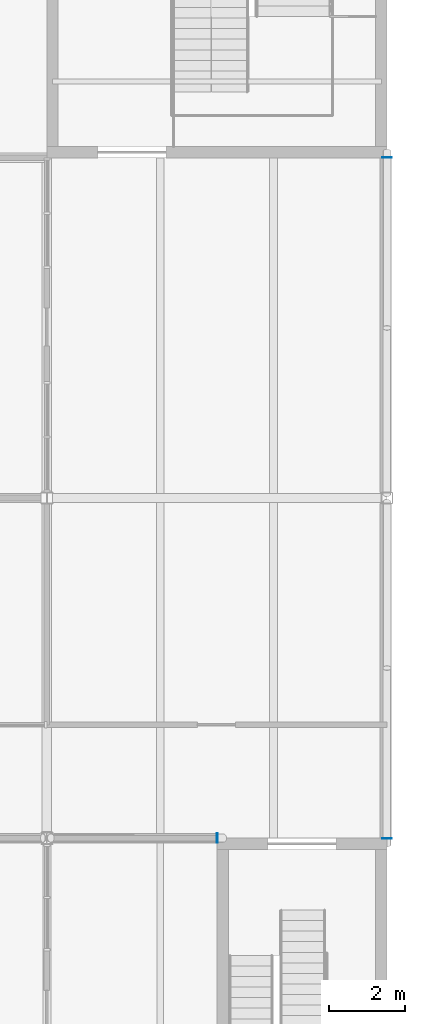
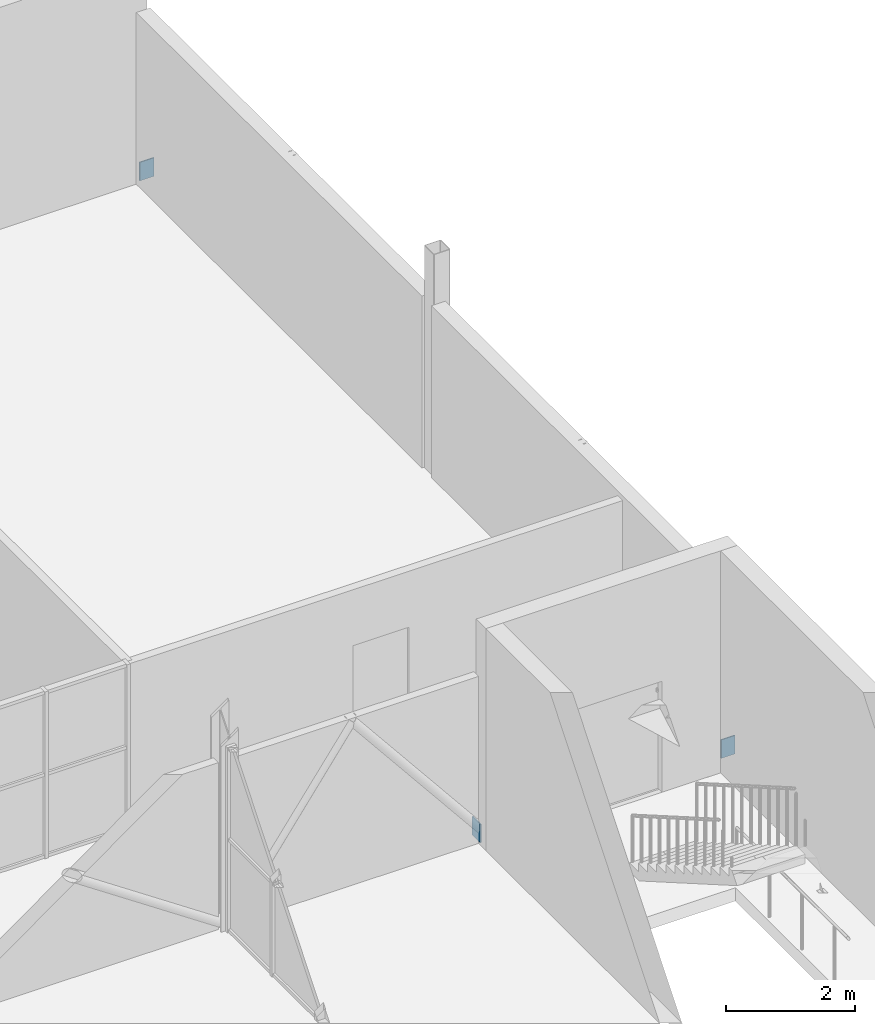
# One storey, part 46 of 57: 3 discrete accessories.
"""IFC4 building model written with IfcOpenShell, lengths in metres."""

from ifc_helpers import new_model, si_unit, direction, frame, origin, origin_2d, place, context, subcontext, project, spatial, rectangle, extrude, element, save


model = new_model("IFC4")

# Units and contexts
model_context = context("Model", 3, precision=1e-05, world=origin(), true_north=direction((0.0, 1.0)))
body_context = subcontext(model_context, "Body", "Model", "MODEL_VIEW")
ifc_project = project(units=[si_unit("LENGTHUNIT", "METRE"), si_unit("AREAUNIT", "SQUARE_METRE"), si_unit("VOLUMEUNIT", "CUBIC_METRE"), si_unit("PLANEANGLEUNIT", "RADIAN"), si_unit("MASSUNIT", "GRAM", prefix="KILO")], contexts=[model_context])

# Site, building, storey
site_placement = place(None, origin())
site = spatial("IfcSite", under=ifc_project, at=site_placement, CompositionType="ELEMENT")
building_placement = place(site_placement, origin())
building = spatial("IfcBuilding", under=site, at=building_placement, Name="Halyard Row Museum", CompositionType="ELEMENT")
storey_placement = place(building_placement, frame((0.0, 0.0, 5.0)))
storey = spatial("IfcBuildingStorey", under=building, at=storey_placement, Name="L01", CompositionType="ELEMENT", Elevation=5.0)

# Discrete accessories
for number, where, z_axis, x_axis, name in (
    (1, (108.0, 36.0, 0.215087890625), (0.0, -1.0, 0.0), (1.0, 0.0, 0.0), "Brace L01 X108 36-45 A cast-in plate"),
    (2, (108.0, 54.0, 0.215087890625), (0.0, 1.0, 0.0), (-1.0, 0.0, 0.0), "Brace L01 X108 45-54 B cast-in plate"),
    (3, (103.5, 36.0, 0.215087890625), (1.0, 0.0, 0.0), (0.0, 1.0, 0.0), "Brace L01 Y36 99-103.5 B cast-in plate"),
):
    element("IfcDiscreteAccessory", number, at=place(storey_placement, frame(where, z_axis=z_axis, x_axis=x_axis)), inside=storey, Name=name, PredefinedType="ANCHORPLATE", context=body_context, shape_type="SweptSolid", body=[
        extrude(rectangle(XDim=0.25, YDim=0.35009765625, at=origin_2d()), origin(), (0.0, 0.0, 1.0), 0.02001953125),
    ])

save(model, "model.ifc")
